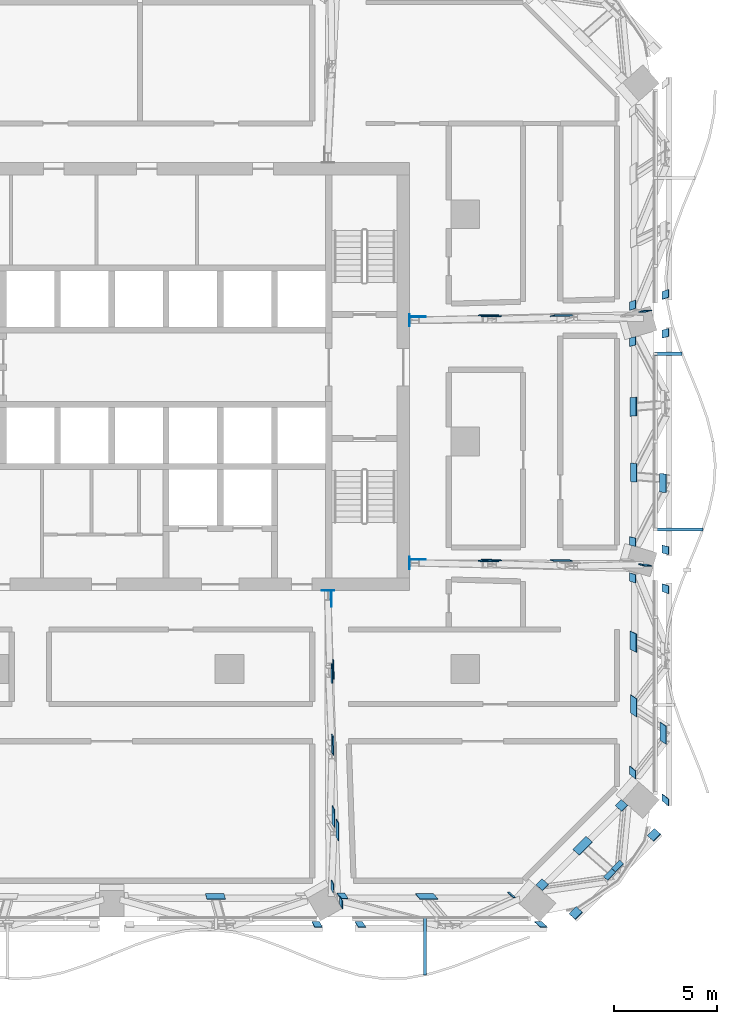
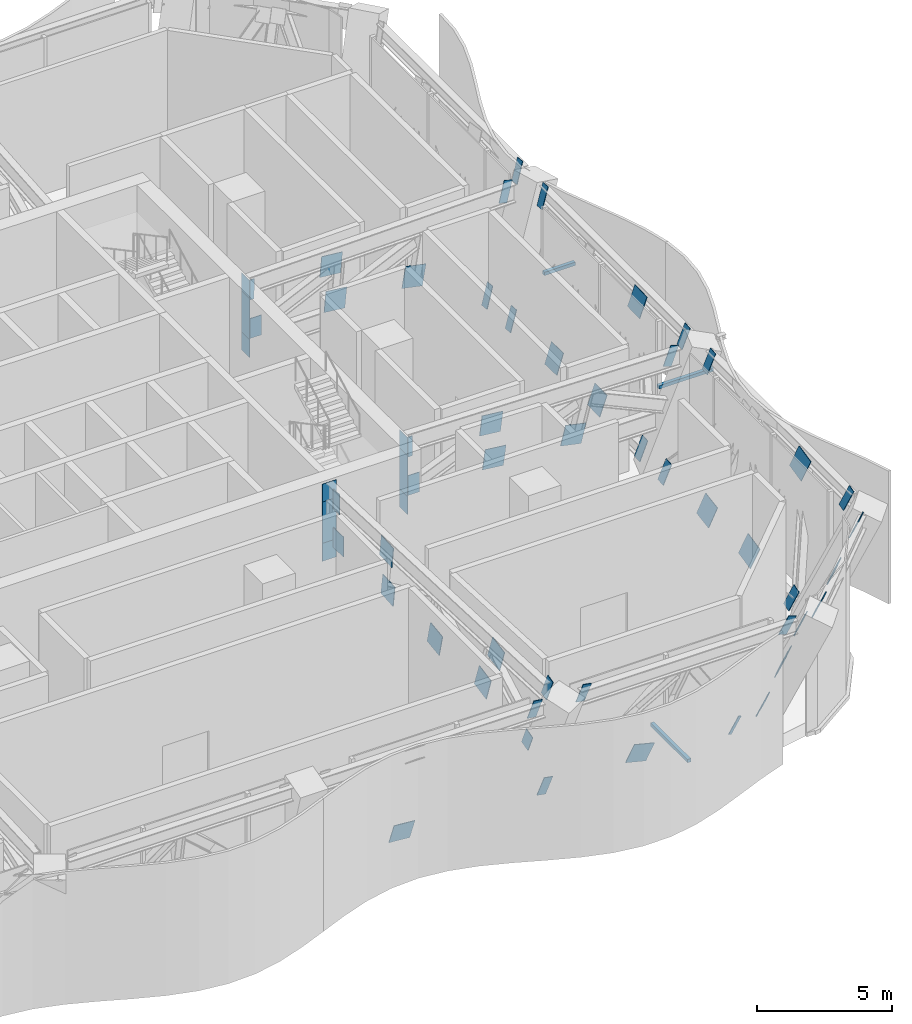
# One storey, part 14 of 26: 63 discrete accessories.
"""IFC4 building model written with IfcOpenShell, lengths in metres."""

from ifc_helpers import new_model, si_unit, direction, frame, origin, origin_2d, place, context, subcontext, project, spatial, rectangle, extrude, material, layer, layer_set, type_object, element, save


model = new_model("IFC4")

# Units and contexts
model_context = context("Model", 3, precision=1e-05, world=origin(), true_north=direction((0.0, 1.0)))
body_context = subcontext(model_context, "Body", "Model", "MODEL_VIEW")
ifc_project = project(units=[si_unit("LENGTHUNIT", "METRE"), si_unit("AREAUNIT", "SQUARE_METRE"), si_unit("VOLUMEUNIT", "CUBIC_METRE"), si_unit("PLANEANGLEUNIT", "RADIAN"), si_unit("MASSUNIT", "GRAM", prefix="KILO")], contexts=[model_context])

# Site, building, storey
site_placement = place(None, origin())
site = spatial("IfcSite", under=ifc_project, at=site_placement, CompositionType="ELEMENT")
building_placement = place(site_placement, origin())
building = spatial("IfcBuilding", under=site, at=building_placement, Name="Mopane Tessera Tower", CompositionType="ELEMENT")
storey_placement = place(building_placement, frame((0.0, 0.0, 205.0)))
storey = spatial("IfcBuildingStorey", under=building, at=storey_placement, Name="L43", CompositionType="ELEMENT", Elevation=205.0)

# Discrete accessories
ifc_material_1 = material(Name="Structural steel S460", Category="steel")
ifc_layer_1 = layer(ifc_material_1, 0.014892578125)
ifc_layer_set_1 = layer_set([ifc_layer_1], Name="Structural steel S460")
discrete_accessory_type_1 = type_object("IfcDiscreteAccessoryType", Name="Cast-in anchor plate 15 mm", PredefinedType="ANCHORPLATE", material=ifc_layer_set_1)
discrete_accessory_1_placement = place(storey_placement, frame((14.407470703125, -5.870849609375, 2.10009765625), z_axis=(0.0, 0.0, 1.0), x_axis=(1.0, 0.0, 0.0)))
element("IfcDiscreteAccessory", 1, at=discrete_accessory_1_placement, inside=storey, type_object=discrete_accessory_type_1, Name="Cast-in anchor plate s ot L43 E1 b", PredefinedType="ANCHORPLATE", context=body_context, shape_type="SweptSolid", body=[
    extrude(rectangle(XDim=0.014892578125, YDim=0.60302734375, at=origin_2d()), origin(), (0.0, 0.0, 1.0), 0.81396484375),
])
discrete_accessory_2_placement = place(storey_placement, frame((14.407470703125, -5.871337890625, 4.785888671875), z_axis=(0.0, 0.0, 1.0), x_axis=(1.0, 0.0, 0.0)))
element("IfcDiscreteAccessory", 2, at=discrete_accessory_2_placement, inside=storey, type_object=discrete_accessory_type_1, Name="Cast-in anchor plate s ot L43 E1 t", PredefinedType="ANCHORPLATE", context=body_context, shape_type="SweptSolid", body=[
    extrude(rectangle(XDim=0.014892578125, YDim=0.60302734375, at=origin_2d()), origin(), (0.0, 0.0, 1.0), 0.814208984375),
])
discrete_accessory_3_placement = place(storey_placement, frame((14.407470703125, -5.87109375, 2.9140625), z_axis=(0.0, 0.0, 1.0), x_axis=(1.0, 0.0, 0.0)))
element("IfcDiscreteAccessory", 3, at=discrete_accessory_3_placement, inside=storey, type_object=discrete_accessory_type_1, Name="Cast-in anchor plate s ot L43 E1 p", PredefinedType="ANCHORPLATE", context=body_context, shape_type="SweptSolid", body=[
    extrude(rectangle(XDim=0.014892578125, YDim=0.60302734375, at=origin_2d()), origin(), (0.0, 0.0, 1.0), 1.871826171875),
])
discrete_accessory_4_placement = place(storey_placement, frame((14.407470703125, 5.870849609375, 2.10009765625), z_axis=(0.0, 0.0, 1.0), x_axis=(1.0, 0.0, 0.0)))
element("IfcDiscreteAccessory", 4, at=discrete_accessory_4_placement, inside=storey, type_object=discrete_accessory_type_1, Name="Cast-in anchor plate s ot L43 E2 b", PredefinedType="ANCHORPLATE", context=body_context, shape_type="SweptSolid", body=[
    extrude(rectangle(XDim=0.014892578125, YDim=0.60302734375, at=origin_2d()), origin(), (0.0, 0.0, 1.0), 0.81396484375),
])
discrete_accessory_5_placement = place(storey_placement, frame((14.407470703125, 5.871337890625, 4.785888671875), z_axis=(0.0, 0.0, 1.0), x_axis=(1.0, 0.0, 0.0)))
element("IfcDiscreteAccessory", 5, at=discrete_accessory_5_placement, inside=storey, type_object=discrete_accessory_type_1, Name="Cast-in anchor plate s ot L43 E2 t", PredefinedType="ANCHORPLATE", context=body_context, shape_type="SweptSolid", body=[
    extrude(rectangle(XDim=0.014892578125, YDim=0.60302734375, at=origin_2d()), origin(), (0.0, 0.0, 1.0), 0.814208984375),
])
discrete_accessory_6_placement = place(storey_placement, frame((14.407470703125, 5.87109375, 2.9140625), z_axis=(0.0, 0.0, 1.0), x_axis=(1.0, 0.0, 0.0)))
element("IfcDiscreteAccessory", 6, at=discrete_accessory_6_placement, inside=storey, type_object=discrete_accessory_type_1, Name="Cast-in anchor plate s ot L43 E2 p", PredefinedType="ANCHORPLATE", context=body_context, shape_type="SweptSolid", body=[
    extrude(rectangle(XDim=0.014892578125, YDim=0.60302734375, at=origin_2d()), origin(), (0.0, 0.0, 1.0), 1.871826171875),
])
discrete_accessory_7_placement = place(storey_placement, frame((10.4501953125, -7.20751953125, 2.10009765625), z_axis=(0.0, 0.0, 1.0), x_axis=(0.0, -1.0, 0.0)))
element("IfcDiscreteAccessory", 7, at=discrete_accessory_7_placement, inside=storey, type_object=discrete_accessory_type_1, Name="Cast-in anchor plate s ot L43 S3 b", PredefinedType="ANCHORPLATE", context=body_context, shape_type="SweptSolid", body=[
    extrude(rectangle(XDim=0.014892578125, YDim=0.60302734375, at=origin_2d()), origin(), (0.0, 0.0, 1.0), 0.81396484375),
])
discrete_accessory_8_placement = place(storey_placement, frame((10.45068359375, -7.20751953125, 4.785888671875), z_axis=(0.0, 0.0, 1.0), x_axis=(0.0, -1.0, 0.0)))
element("IfcDiscreteAccessory", 8, at=discrete_accessory_8_placement, inside=storey, type_object=discrete_accessory_type_1, Name="Cast-in anchor plate s ot L43 S3 t", PredefinedType="ANCHORPLATE", context=body_context, shape_type="SweptSolid", body=[
    extrude(rectangle(XDim=0.014892578125, YDim=0.60302734375, at=origin_2d()), origin(), (0.0, 0.0, 1.0), 0.814208984375),
])
discrete_accessory_9_placement = place(storey_placement, frame((10.450439453125, -7.20751953125, 2.9140625), z_axis=(0.0, 0.0, 1.0), x_axis=(0.0, -1.0, 0.0)))
element("IfcDiscreteAccessory", 9, at=discrete_accessory_9_placement, inside=storey, type_object=discrete_accessory_type_1, Name="Cast-in anchor plate s ot L43 S3 p", PredefinedType="ANCHORPLATE", context=body_context, shape_type="SweptSolid", body=[
    extrude(rectangle(XDim=0.014892578125, YDim=0.60302734375, at=origin_2d()), origin(), (0.0, 0.0, 1.0), 1.871826171875),
])
ifc_material_2 = material(Name="Stainless steel S316", Category="steel")
discrete_accessory_type_2 = type_object("IfcDiscreteAccessoryType", Name="Louvre bracket 150 x 150", PredefinedType="BRACKET", material=ifc_material_2)
discrete_accessory_10_placement = place(storey_placement, frame((15.14990234375, -24.438720703125, 2.51513671875), z_axis=(0.0, 0.0, 1.0), x_axis=(0.0, -1.0, 0.0)))
element("IfcDiscreteAccessory", 10, at=discrete_accessory_10_placement, inside=storey, type_object=discrete_accessory_type_2, Name="e:lv:L43:S:1:br1", PredefinedType="BRACKET", context=body_context, shape_type="SweptSolid", body=[
    extrude(rectangle(XDim=2.757568359375, YDim=0.14990234375, at=origin_2d()), origin(), (0.0, 0.0, 1.0), 0.14990234375),
])
discrete_accessory_11_placement = place(storey_placement, frame((27.429931640625, -4.25, 2.51513671875), z_axis=(0.0, 0.0, 1.0), x_axis=(1.0, 0.0, 0.0)))
element("IfcDiscreteAccessory", 11, at=discrete_accessory_11_placement, inside=storey, type_object=discrete_accessory_type_2, Name="e:lv:L43:E:0:br1", PredefinedType="BRACKET", context=body_context, shape_type="SweptSolid", body=[
    extrude(rectangle(XDim=2.340087890625, YDim=0.14990234375, at=origin_2d()), origin(), (0.0, 0.0, 1.0), 0.14990234375),
])
discrete_accessory_12_placement = place(storey_placement, frame((26.9248046875, 4.25, 2.51513671875), z_axis=(0.0, 0.0, 1.0), x_axis=(1.0, 0.0, 0.0)))
element("IfcDiscreteAccessory", 12, at=discrete_accessory_12_placement, inside=storey, type_object=discrete_accessory_type_2, Name="e:lv:L43:E:1:br0", PredefinedType="BRACKET", context=body_context, shape_type="SweptSolid", body=[
    extrude(rectangle(XDim=1.32958984375, YDim=0.14990234375, at=origin_2d()), origin(), (0.0, 0.0, 1.0), 0.14990234375),
])
ifc_material_3 = material(Name="Structural steel S460", Category="steel")
ifc_layer_2 = layer(ifc_material_3, 0.030029296875)
ifc_layer_set_2 = layer_set([ifc_layer_2], Name="Structural steel S460")
discrete_accessory_type_3 = type_object("IfcDiscreteAccessoryType", Name="Truss node plate 30 mm", PredefinedType="BRACKET", material=ifc_layer_set_2)
discrete_accessory_13_placement = place(storey_placement, frame((14.800048828125, -5.7060546875, 2.5908203125), z_axis=(0.01166490682, -0.003255322834, 0.999926663722), x_axis=(-0.008172068374, 0.999960994065, 0.003350768006)))
element("IfcDiscreteAccessory", 13, at=discrete_accessory_13_placement, inside=storey, type_object=discrete_accessory_type_3, Name="Truss node plate s ot L43 E1 0", PredefinedType="BRACKET", context=body_context, shape_type="SweptSolid", body=[
    extrude(rectangle(XDim=0.030029296875, YDim=0.75732421875, at=origin_2d()), origin(), (0.0, 0.0, 1.0), 0.89990234375),
])
discrete_accessory_14_placement = place(storey_placement, frame((14.653076171875, -5.708984375, 4.3359375), z_axis=(0.007051615597, -0.001898511891, 0.99997333483), x_axis=(-0.017346857651, 0.999847490224, 0.002020599601)))
element("IfcDiscreteAccessory", 14, at=discrete_accessory_14_placement, inside=storey, type_object=discrete_accessory_type_3, Name="Truss node plate s ot L43 E1 1", PredefinedType="BRACKET", context=body_context, shape_type="SweptSolid", body=[
    extrude(rectangle(XDim=0.030029296875, YDim=0.43994140625, at=origin_2d()), origin(), (0.0, 0.0, 1.0), 0.900146484375),
])
discrete_accessory_15_placement = place(storey_placement, frame((18.172119140625, -5.767822265625, 4.209228515625), z_axis=(0.102503292286, -0.029941751168, 0.994281935171), x_axis=(0.006871200588, 0.99954434901, 0.029391852012)))
element("IfcDiscreteAccessory", 15, at=discrete_accessory_15_placement, inside=storey, type_object=discrete_accessory_type_3, Name="Truss node plate s ot L43 E1 2", PredefinedType="BRACKET", context=body_context, shape_type="SweptSolid", body=[
    extrude(rectangle(XDim=0.030029296875, YDim=0.89990234375, at=origin_2d()), origin(), (0.0, 0.0, 1.0), 0.905029296875),
])
discrete_accessory_16_placement = place(storey_placement, frame((18.323486328125, -5.720458984375, 2.5908203125), z_axis=(0.111290579422, -0.032336245837, 0.993261684622), x_axis=(0.005989638828, 0.999474158771, 0.031867384215)))
element("IfcDiscreteAccessory", 16, at=discrete_accessory_16_placement, inside=storey, type_object=discrete_accessory_type_3, Name="Truss node plate s ot L43 E1 3", PredefinedType="BRACKET", context=body_context, shape_type="SweptSolid", body=[
    extrude(rectangle(XDim=0.030029296875, YDim=0.89990234375, at=origin_2d()), origin(), (0.0, 0.0, 1.0), 0.906005859375),
])
discrete_accessory_17_placement = place(storey_placement, frame((21.661376953125, -5.7265625, 2.464111328125), z_axis=(0.203361293335, -0.059391042643, 0.977300817777), x_axis=(0.015744633972, 0.998227873633, 0.057386573369)))
element("IfcDiscreteAccessory", 17, at=discrete_accessory_17_placement, inside=storey, type_object=discrete_accessory_type_3, Name="Truss node plate s ot L43 E1 5", PredefinedType="BRACKET", context=body_context, shape_type="SweptSolid", body=[
    extrude(rectangle(XDim=0.030029296875, YDim=0.89990234375, at=origin_2d()), origin(), (0.0, 0.0, 1.0), 0.9208984375),
])
discrete_accessory_18_placement = place(storey_placement, frame((25.6796875, -5.9384765625, 4.742919921875), z_axis=(0.28938402048, -0.084306694081, 0.953493193486), x_axis=(0.027373092398, 0.996435311919, 0.079795883182)))
element("IfcDiscreteAccessory", 18, at=discrete_accessory_18_placement, inside=storey, type_object=discrete_accessory_type_3, Name="Truss node plate s ot L43 E1 8", PredefinedType="BRACKET", context=body_context, shape_type="SweptSolid", body=[
    extrude(rectangle(XDim=0.030029296875, YDim=0.35888671875, at=origin_2d()), origin(), (0.0, 0.0, 1.0), 0.944091796875),
])
discrete_accessory_19_placement = place(storey_placement, frame((14.799072265625, 6.0390625, 2.5908203125), z_axis=(0.011393665553, 0.003255333015, 0.999929791131), x_axis=(0.002019256037, 0.999992586844, -0.003278545794)))
element("IfcDiscreteAccessory", 19, at=discrete_accessory_19_placement, inside=storey, type_object=discrete_accessory_type_3, Name="Truss node plate s ot L43 E2 0", PredefinedType="BRACKET", context=body_context, shape_type="SweptSolid", body=[
    extrude(rectangle(XDim=0.030029296875, YDim=0.75732421875, at=origin_2d()), origin(), (0.0, 0.0, 1.0), 0.89990234375),
])
discrete_accessory_20_placement = place(storey_placement, frame((14.652099609375, 6.041748046875, 4.3359375), z_axis=(0.00678040859, 0.002169730749, 0.999974658843), x_axis=(-0.029355822736, 0.999567084078, -0.001969796882)))
element("IfcDiscreteAccessory", 20, at=discrete_accessory_20_placement, inside=storey, type_object=discrete_accessory_type_3, Name="Truss node plate s ot L43 E2 1", PredefinedType="BRACKET", context=body_context, shape_type="SweptSolid", body=[
    extrude(rectangle(XDim=0.030029296875, YDim=0.43994140625, at=origin_2d()), origin(), (0.0, 0.0, 1.0), 0.900146484375),
])
discrete_accessory_21_placement = place(storey_placement, frame((18.171142578125, 6.100830078125, 4.209228515625), z_axis=(0.102237191978, 0.029673063635, 0.99431738689), x_axis=(-0.005140786148, 0.999557418116, -0.029300856767)))
element("IfcDiscreteAccessory", 21, at=discrete_accessory_21_placement, inside=storey, type_object=discrete_accessory_type_3, Name="Truss node plate s ot L43 E2 2", PredefinedType="BRACKET", context=body_context, shape_type="SweptSolid", body=[
    extrude(rectangle(XDim=0.030029296875, YDim=0.89990234375, at=origin_2d()), origin(), (0.0, 0.0, 1.0), 0.905029296875),
])
discrete_accessory_22_placement = place(storey_placement, frame((18.322265625, 6.053466796875, 2.5908203125), z_axis=(0.111290579422, 0.032336245837, 0.993261684622), x_axis=(-0.005989638828, 0.999474158771, -0.031867384215)))
element("IfcDiscreteAccessory", 22, at=discrete_accessory_22_placement, inside=storey, type_object=discrete_accessory_type_3, Name="Truss node plate s ot L43 E2 3", PredefinedType="BRACKET", context=body_context, shape_type="SweptSolid", body=[
    extrude(rectangle(XDim=0.030029296875, YDim=0.89990234375, at=origin_2d()), origin(), (0.0, 0.0, 1.0), 0.906005859375),
])
discrete_accessory_23_placement = place(storey_placement, frame((21.66015625, 6.0595703125, 2.464111328125), z_axis=(0.203615446332, 0.059387838514, 0.977248092683), x_axis=(-0.015408544142, 0.998229330653, -0.057452416757)))
element("IfcDiscreteAccessory", 23, at=discrete_accessory_23_placement, inside=storey, type_object=discrete_accessory_type_3, Name="Truss node plate s ot L43 E2 5", PredefinedType="BRACKET", context=body_context, shape_type="SweptSolid", body=[
    extrude(rectangle(XDim=0.030029296875, YDim=0.89990234375, at=origin_2d()), origin(), (0.0, 0.0, 1.0), 0.9208984375),
])
discrete_accessory_24_placement = place(storey_placement, frame((25.678466796875, 6.271484375, 4.742919921875), z_axis=(0.289620946604, 0.084300382672, 0.953421812615), x_axis=(-0.027152306449, 0.996436565638, -0.079855637965)))
element("IfcDiscreteAccessory", 24, at=discrete_accessory_24_placement, inside=storey, type_object=discrete_accessory_type_3, Name="Truss node plate s ot L43 E2 8", PredefinedType="BRACKET", context=body_context, shape_type="SweptSolid", body=[
    extrude(rectangle(XDim=0.030029296875, YDim=0.35888671875, at=origin_2d()), origin(), (0.0, 0.0, 1.0), 0.944091796875),
])
discrete_accessory_25_placement = place(storey_placement, frame((10.61865234375, -7.59716796875, 2.591552734375), z_axis=(0.004339414256, -0.007322761557, 0.999963772667), x_axis=(0.999787049948, 0.020206261131, -0.004190676363)))
element("IfcDiscreteAccessory", 25, at=discrete_accessory_25_placement, inside=storey, type_object=discrete_accessory_type_3, Name="Truss node plate s ot L43 S3 0", PredefinedType="BRACKET", context=body_context, shape_type="SweptSolid", body=[
    extrude(rectangle(XDim=0.030029296875, YDim=0.754150390625, at=origin_2d()), origin(), (0.0, 0.0, 1.0), 0.900146484375),
])
discrete_accessory_26_placement = place(storey_placement, frame((10.622314453125, -7.44775390625, 4.3359375), z_axis=(0.002712196654, -0.004339514646, 0.999986906215), x_axis=(0.999036355437, 0.04381795065, -0.002519467411)))
element("IfcDiscreteAccessory", 26, at=discrete_accessory_26_placement, inside=storey, type_object=discrete_accessory_type_3, Name="Truss node plate s ot L43 S3 1", PredefinedType="BRACKET", context=body_context, shape_type="SweptSolid", body=[
    extrude(rectangle(XDim=0.030029296875, YDim=0.43994140625, at=origin_2d()), origin(), (0.0, 0.0, 1.0), 0.900146484375),
])
discrete_accessory_27_placement = place(storey_placement, frame((10.69970703125, -10.98486328125, 4.208251953125), z_axis=(0.039204212235, -0.068674964881, 0.996868486282), x_axis=(0.999223472332, 0.006622842545, -0.038840575395)))
element("IfcDiscreteAccessory", 27, at=discrete_accessory_27_placement, inside=storey, type_object=discrete_accessory_type_3, Name="Truss node plate s ot L43 S3 2", PredefinedType="BRACKET", context=body_context, shape_type="SweptSolid", body=[
    extrude(rectangle(XDim=0.030029296875, YDim=0.89990234375, at=origin_2d()), origin(), (0.0, 0.0, 1.0), 0.903076171875),
])
discrete_accessory_28_placement = place(storey_placement, frame((10.6376953125, -11.18798828125, 2.591552734375), z_axis=(0.042425004833, -0.074581537159, 0.996312056175), x_axis=(0.999096751727, 0.005570656154, -0.042126576871)))
element("IfcDiscreteAccessory", 28, at=discrete_accessory_28_placement, inside=storey, type_object=discrete_accessory_type_3, Name="Truss node plate s ot L43 S3 3", PredefinedType="BRACKET", context=body_context, shape_type="SweptSolid", body=[
    extrude(rectangle(XDim=0.030029296875, YDim=0.89990234375, at=origin_2d()), origin(), (0.0, 0.0, 1.0), 0.903564453125),
])
discrete_accessory_29_placement = place(storey_placement, frame((10.6455078125, -14.60400390625, 2.464111328125), z_axis=(0.078488235568, -0.137421381728, 0.987398076118), x_axis=(0.996906532414, 0.014911108898, -0.077168804974)))
element("IfcDiscreteAccessory", 29, at=discrete_accessory_29_placement, inside=storey, type_object=discrete_accessory_type_3, Name="Truss node plate s ot L43 S3 5", PredefinedType="BRACKET", context=body_context, shape_type="SweptSolid", body=[
    extrude(rectangle(XDim=0.030029296875, YDim=0.89990234375, at=origin_2d()), origin(), (0.0, 0.0, 1.0), 0.911376953125),
])
discrete_accessory_30_placement = place(storey_placement, frame((10.673828125, -18.0556640625, 2.591552734375), z_axis=(0.113285674256, -0.198051878071, 0.973623032596), x_axis=(0.993551291372, 0.027227287502, -0.110065917649)))
element("IfcDiscreteAccessory", 30, at=discrete_accessory_30_placement, inside=storey, type_object=discrete_accessory_type_3, Name="Truss node plate s ot L43 S3 7", PredefinedType="BRACKET", context=body_context, shape_type="SweptSolid", body=[
    extrude(rectangle(XDim=0.030029296875, YDim=0.89990234375, at=origin_2d()), origin(), (0.0, 0.0, 1.0), 0.924560546875),
])
discrete_accessory_31_placement = place(storey_placement, frame((10.868408203125, -18.703369140625, 4.205810546875), z_axis=(0.116566531895, -0.203595843038, 0.972091032949), x_axis=(0.993169928604, 0.02889451424, -0.113042469737)))
element("IfcDiscreteAccessory", 31, at=discrete_accessory_31_placement, inside=storey, type_object=discrete_accessory_type_3, Name="Truss node plate s ot L43 S3 8", PredefinedType="BRACKET", context=body_context, shape_type="SweptSolid", body=[
    extrude(rectangle(XDim=0.030029296875, YDim=0.89990234375, at=origin_2d()), origin(), (0.0, 0.0, 1.0), 0.92578125),
])
discrete_accessory_32_placement = place(storey_placement, frame((10.628662109375, -21.442138671875, 2.17822265625), z_axis=(0.146837410488, -0.257142808222, 0.955152527642), x_axis=(0.989152854314, 0.042003237561, -0.140756381157)))
element("IfcDiscreteAccessory", 32, at=discrete_accessory_32_placement, inside=storey, type_object=discrete_accessory_type_3, Name="Truss node plate s ot L43 S3 9", PredefinedType="BRACKET", context=body_context, shape_type="SweptSolid", body=[
    extrude(rectangle(XDim=0.030029296875, YDim=0.489990234375, at=origin_2d()), origin(), (0.0, 0.0, 1.0), 0.688232421875),
])
discrete_accessory_33_placement = place(storey_placement, frame((11.024169921875, -22.17529296875, 4.742919921875), z_axis=(0.147369002194, -0.257701506473, 0.95492005464), x_axis=(0.989071218611, 0.042815790962, -0.141084841709)))
element("IfcDiscreteAccessory", 33, at=discrete_accessory_33_placement, inside=storey, type_object=discrete_accessory_type_3, Name="Truss node plate s ot L43 S3 10", PredefinedType="BRACKET", context=body_context, shape_type="SweptSolid", body=[
    extrude(rectangle(XDim=0.030029296875, YDim=0.40771484375, at=origin_2d()), origin(), (0.0, 0.0, 1.0), 0.942626953125),
])
discrete_accessory_34_placement = place(storey_placement, frame((4.975341796875, -21.882080078125, 0.169921875), z_axis=(0.078393186166, -0.279048593142, 0.957071779455), x_axis=(0.022567448017, 0.960276960341, 0.278134625187)))
element("IfcDiscreteAccessory", 34, at=discrete_accessory_34_placement, inside=storey, type_object=discrete_accessory_type_3, Name="Truss node plate s bt L43 S2-S3 3", PredefinedType="BRACKET", context=body_context, shape_type="SweptSolid", body=[
    extrude(rectangle(XDim=0.030029296875, YDim=0.89990234375, at=origin_2d()), origin(), (0.0, 0.0, 1.0), 0.9404296875),
])
discrete_accessory_35_placement = place(storey_placement, frame((9.865966796875, -23.244140625, 4.840087890625), z_axis=(0.14306097607, -0.277100088784, 0.950131095124), x_axis=(0.04176472503, 0.960840932825, 0.273935046228)))
element("IfcDiscreteAccessory", 35, at=discrete_accessory_35_placement, inside=storey, type_object=discrete_accessory_type_3, Name="Truss node plate s bt L43 S2-S3 6", PredefinedType="BRACKET", context=body_context, shape_type="SweptSolid", body=[
    extrude(rectangle(XDim=0.030029296875, YDim=0.37255859375, at=origin_2d()), origin(), (0.0, 0.0, 1.0), 0.947021484375),
])
discrete_accessory_36_placement = place(storey_placement, frame((11.081298828125, -21.8544921875, 0.07568359375), z_axis=(0.172636185559, -0.276012683004, 0.945523001442), x_axis=(0.050053783134, 0.961153879733, 0.271436619247)))
element("IfcDiscreteAccessory", 36, at=discrete_accessory_36_placement, inside=storey, type_object=discrete_accessory_type_3, Name="Truss node plate s bt L43 S3-S4 0", PredefinedType="BRACKET", context=body_context, shape_type="SweptSolid", body=[
    extrude(rectangle(XDim=0.030029296875, YDim=0.37939453125, at=origin_2d()), origin(), (0.0, 0.0, 1.0), 0.95166015625),
])
discrete_accessory_37_placement = place(storey_placement, frame((11.94775390625, -23.244140625, 4.840087890625), z_axis=(0.172648404171, -0.27577568274, 0.945589922401), x_axis=(0.049475849014, 0.961222018936, 0.271301254468)))
element("IfcDiscreteAccessory", 37, at=discrete_accessory_37_placement, inside=storey, type_object=discrete_accessory_type_3, Name="Truss node plate s bt L43 S3-S4 1", PredefinedType="BRACKET", context=body_context, shape_type="SweptSolid", body=[
    extrude(rectangle(XDim=0.030029296875, YDim=0.37255859375, at=origin_2d()), origin(), (0.0, 0.0, 1.0), 0.95166015625),
])
discrete_accessory_38_placement = place(storey_placement, frame((15.121337890625, -21.882080078125, 0.169921875), z_axis=(0.232241351768, -0.272256764613, 0.933777387096), x_axis=(0.065795997042, 0.962224634434, 0.264186751486)))
element("IfcDiscreteAccessory", 38, at=discrete_accessory_38_placement, inside=storey, type_object=discrete_accessory_type_3, Name="Truss node plate s bt L43 S3-S4 3", PredefinedType="BRACKET", context=body_context, shape_type="SweptSolid", body=[
    extrude(rectangle(XDim=0.030029296875, YDim=0.89990234375, at=origin_2d()), origin(), (0.0, 0.0, 1.0), 0.9638671875),
])
discrete_accessory_39_placement = place(storey_placement, frame((19.19775390625, -21.8134765625, -0.0654296875), z_axis=(0.291261551796, -0.267841033517, 0.918383301901), x_axis=(0.080924919225, 0.963463117442, 0.255323282875)))
element("IfcDiscreteAccessory", 39, at=discrete_accessory_39_placement, inside=storey, type_object=discrete_accessory_type_3, Name="Truss node plate s bt L43 S3-S4 5", PredefinedType="BRACKET", context=body_context, shape_type="SweptSolid", body=[
    extrude(rectangle(XDim=0.030029296875, YDim=0.122314453125, at=origin_2d()), origin(), (0.0, 0.0, 1.0), 0.97998046875),
])
discrete_accessory_40_placement = place(storey_placement, frame((20.630615234375, -23.244140625, 4.840087890625), z_axis=(0.289892551992, -0.267957431979, 0.918782413277), x_axis=(0.080179549136, 0.963430646182, 0.255680718666)))
element("IfcDiscreteAccessory", 40, at=discrete_accessory_40_placement, inside=storey, type_object=discrete_accessory_type_3, Name="Truss node plate s bt L43 S3-S4 6", PredefinedType="BRACKET", context=body_context, shape_type="SweptSolid", body=[
    extrude(rectangle(XDim=0.030029296875, YDim=0.350830078125, at=origin_2d()), origin(), (0.0, 0.0, 1.0), 0.9794921875),
])
discrete_accessory_41_placement = place(storey_placement, frame((20.681884765625, -21.314208984375, 0.052490234375), z_axis=(0.304783284444, -0.266592376548, 0.914349853333), x_axis=(-0.638523091809, 0.655126704489, 0.403853020656)))
element("IfcDiscreteAccessory", 41, at=discrete_accessory_41_placement, inside=storey, type_object=discrete_accessory_type_3, Name="Truss node plate s bt L43 S4-E0 0", PredefinedType="BRACKET", context=body_context, shape_type="SweptSolid", body=[
    extrude(rectangle(XDim=0.030029296875, YDim=0.416259765625, at=origin_2d()), origin(), (0.0, 0.0, 1.0), 0.984375),
])
discrete_accessory_42_placement = place(storey_placement, frame((22.3037109375, -22.684326171875, 4.840087890625), z_axis=(0.304832237653, -0.266883228409, 0.914248680219), x_axis=(-0.638145226429, 0.655354393467, 0.404080795076)))
element("IfcDiscreteAccessory", 42, at=discrete_accessory_42_placement, inside=storey, type_object=discrete_accessory_type_3, Name="Truss node plate s bt L43 S4-E0 1", PredefinedType="BRACKET", context=body_context, shape_type="SweptSolid", body=[
    extrude(rectangle(XDim=0.030029296875, YDim=0.489990234375, at=origin_2d()), origin(), (0.0, 0.0, 1.0), 0.984375),
])
discrete_accessory_43_placement = place(storey_placement, frame((24.00341796875, -20.875244140625, 4.6650390625), z_axis=(0.304643134255, -0.266814264215, 0.914331837553), x_axis=(-0.638089991619, 0.655523553655, 0.40389359143)))
element("IfcDiscreteAccessory", 43, at=discrete_accessory_43_placement, inside=storey, type_object=discrete_accessory_type_3, Name="Truss node plate s bt L43 S4-E0 2", PredefinedType="BRACKET", context=body_context, shape_type="SweptSolid", body=[
    extrude(rectangle(XDim=0.030029296875, YDim=0.5546875, at=origin_2d()), origin(), (0.0, 0.0, 1.0), 0.606689453125),
])
discrete_accessory_44_placement = place(storey_placement, frame((22.63818359375, -19.43115234375, 0.169921875), z_axis=(0.304783284444, -0.266592376548, 0.914349853333), x_axis=(-0.638523091809, 0.655126704489, 0.403853020656)))
element("IfcDiscreteAccessory", 44, at=discrete_accessory_44_placement, inside=storey, type_object=discrete_accessory_type_3, Name="Truss node plate s bt L43 S4-E0 3", PredefinedType="BRACKET", context=body_context, shape_type="SweptSolid", body=[
    extrude(rectangle(XDim=0.030029296875, YDim=0.89990234375, at=origin_2d()), origin(), (0.0, 0.0, 1.0), 0.984375),
])
discrete_accessory_45_placement = place(storey_placement, frame((24.39013671875, -20.465087890625, 4.627685546875), z_axis=(0.304755267631, -0.2669124735, 0.914265802894), x_axis=(-0.638040447328, 0.655480161495, 0.404042257023)))
element("IfcDiscreteAccessory", 45, at=discrete_accessory_45_placement, inside=storey, type_object=discrete_accessory_type_3, Name="Truss node plate s bt L43 S4-E0 4", PredefinedType="BRACKET", context=body_context, shape_type="SweptSolid", body=[
    extrude(rectangle(XDim=0.030029296875, YDim=0.5546875, at=origin_2d()), origin(), (0.0, 0.0, 1.0), 0.6064453125),
])
discrete_accessory_46_placement = place(storey_placement, frame((24.516357421875, -17.479736328125, 0.052490234375), z_axis=(0.304558302803, -0.266612520776, 0.914418943351), x_axis=(-0.638310608004, 0.65542962011, 0.403697387645)))
element("IfcDiscreteAccessory", 46, at=discrete_accessory_46_placement, inside=storey, type_object=discrete_accessory_type_3, Name="Truss node plate s bt L43 S4-E0 5", PredefinedType="BRACKET", context=body_context, shape_type="SweptSolid", body=[
    extrude(rectangle(XDim=0.030029296875, YDim=0.416259765625, at=origin_2d()), origin(), (0.0, 0.0, 1.0), 0.984375),
])
discrete_accessory_47_placement = place(storey_placement, frame((26.0859375, -18.902099609375, 4.840087890625), z_axis=(0.304852408885, -0.266652839342, 0.914309177504), x_axis=(-0.638492556559, 0.655099995462, 0.403944613981)))
element("IfcDiscreteAccessory", 47, at=discrete_accessory_47_placement, inside=storey, type_object=discrete_accessory_type_3, Name="Truss node plate s bt L43 S4-E0 6", PredefinedType="BRACKET", context=body_context, shape_type="SweptSolid", body=[
    extrude(rectangle(XDim=0.030029296875, YDim=0.489990234375, at=origin_2d()), origin(), (0.0, 0.0, 1.0), 0.984130859375),
])
discrete_accessory_48_placement = place(storey_placement, frame((25.05224609375, -15.884033203125, 0.0595703125), z_axis=(0.306265350978, -0.249946417438, 0.918546854113), x_axis=(-0.951946117065, -0.080772490042, 0.295422401075)))
element("IfcDiscreteAccessory", 48, at=discrete_accessory_48_placement, inside=storey, type_object=discrete_accessory_type_3, Name="Truss node plate s bt L43 E0-E1 0", PredefinedType="BRACKET", context=body_context, shape_type="SweptSolid", body=[
    extrude(rectangle(XDim=0.030029296875, YDim=0.406494140625, at=origin_2d()), origin(), (0.0, 0.0, 1.0), 0.979736328125),
])
discrete_accessory_49_placement = place(storey_placement, frame((26.645751953125, -17.218994140625, 4.840087890625), z_axis=(0.306227167778, -0.250413591226, 0.918432335583), x_axis=(-0.951958408727, -0.080889122832, 0.295350872458)))
element("IfcDiscreteAccessory", 49, at=discrete_accessory_49_placement, inside=storey, type_object=discrete_accessory_type_3, Name="Truss node plate s bt L43 E0-E1 1", PredefinedType="BRACKET", context=body_context, shape_type="SweptSolid", body=[
    extrude(rectangle(XDim=0.030029296875, YDim=0.34423828125, at=origin_2d()), origin(), (0.0, 0.0, 1.0), 0.979736328125),
])
discrete_accessory_50_placement = place(storey_placement, frame((26.527587890625, -14.0107421875, 4.4853515625), z_axis=(0.309367333837, -0.207167872862, 0.928102001511), x_axis=(-0.950942611962, -0.067357426575, 0.301945567678)))
element("IfcDiscreteAccessory", 50, at=discrete_accessory_50_placement, inside=storey, type_object=discrete_accessory_type_3, Name="Truss node plate s bt L43 E0-E1 2", PredefinedType="BRACKET", context=body_context, shape_type="SweptSolid", body=[
    extrude(rectangle(XDim=0.030029296875, YDim=0.89990234375, at=origin_2d()), origin(), (0.0, 0.0, 1.0), 0.969970703125),
])
discrete_accessory_51_placement = place(storey_placement, frame((25.1025390625, -12.687744140625, 0.21044921875), z_axis=(0.3097338619, -0.201616834434, 0.929201585699), x_axis=(-0.950823275766, -0.065490490139, 0.302731058803)))
element("IfcDiscreteAccessory", 51, at=discrete_accessory_51_placement, inside=storey, type_object=discrete_accessory_type_3, Name="Truss node plate s bt L43 E0-E1 3", PredefinedType="BRACKET", context=body_context, shape_type="SweptSolid", body=[
    extrude(rectangle(XDim=0.030029296875, YDim=0.89990234375, at=origin_2d()), origin(), (0.0, 0.0, 1.0), 0.96875),
])
discrete_accessory_52_placement = place(storey_placement, frame((25.089111328125, -9.607666015625, 0.169921875), z_axis=(0.312452225898, -0.154065133356, 0.937356677693), x_axis=(-0.949933474271, -0.050642409836, 0.308320840661)))
element("IfcDiscreteAccessory", 52, at=discrete_accessory_52_placement, inside=storey, type_object=discrete_accessory_type_3, Name="Truss node plate s bt L43 E0-E1 5", PredefinedType="BRACKET", context=body_context, shape_type="SweptSolid", body=[
    extrude(rectangle(XDim=0.030029296875, YDim=0.89990234375, at=origin_2d()), origin(), (0.0, 0.0, 1.0), 0.960205078125),
])
discrete_accessory_53_placement = place(storey_placement, frame((25.05224609375, -6.5458984375, 0.0595703125), z_axis=(0.314524621974, -0.105950523594, 0.943317946783), x_axis=(-0.949249268505, -0.034794396489, 0.312594267728)))
element("IfcDiscreteAccessory", 53, at=discrete_accessory_53_placement, inside=storey, type_object=discrete_accessory_type_3, Name="Truss node plate s bt L43 E0-E1 7", PredefinedType="BRACKET", context=body_context, shape_type="SweptSolid", body=[
    extrude(rectangle(XDim=0.030029296875, YDim=0.406494140625, at=origin_2d()), origin(), (0.0, 0.0, 1.0), 0.953857421875),
])
discrete_accessory_54_placement = place(storey_placement, frame((26.645751953125, -7.07080078125, 4.840087890625), z_axis=(0.314533140282, -0.105697466995, 0.943343494776), x_axis=(-0.949246490995, -0.034965575917, 0.312583601351)))
element("IfcDiscreteAccessory", 54, at=discrete_accessory_54_placement, inside=storey, type_object=discrete_accessory_type_3, Name="Truss node plate s bt L43 E0-E1 8", PredefinedType="BRACKET", context=body_context, shape_type="SweptSolid", body=[
    extrude(rectangle(XDim=0.030029296875, YDim=0.38525390625, at=origin_2d()), origin(), (0.0, 0.0, 1.0), 0.953857421875),
])
discrete_accessory_55_placement = place(storey_placement, frame((25.052978515625, -4.800537109375, 0.061279296875), z_axis=(0.31511647287, -0.077752680195, 0.945862637622), x_axis=(-0.949053004548, -0.02587473947, 0.314052372091)))
element("IfcDiscreteAccessory", 55, at=discrete_accessory_55_placement, inside=storey, type_object=discrete_accessory_type_3, Name="Truss node plate s bt L43 E1-E2 0", PredefinedType="BRACKET", context=body_context, shape_type="SweptSolid", body=[
    extrude(rectangle(XDim=0.030029296875, YDim=0.404052734375, at=origin_2d()), origin(), (0.0, 0.0, 1.0), 0.951416015625),
])
discrete_accessory_56_placement = place(storey_placement, frame((26.645751953125, -5.20361328125, 4.840087890625), z_axis=(0.315341272413, -0.078001421329, 0.945767233617), x_axis=(-0.948978331529, -0.025824420205, 0.314282079682)))
element("IfcDiscreteAccessory", 56, at=discrete_accessory_56_placement, inside=storey, type_object=discrete_accessory_type_3, Name="Truss node plate s bt L43 E1-E2 1", PredefinedType="BRACKET", context=body_context, shape_type="SweptSolid", body=[
    extrude(rectangle(XDim=0.030029296875, YDim=0.38525390625, at=origin_2d()), origin(), (0.0, 0.0, 1.0), 0.951416015625),
])
for number, where, z_axis, x_axis, name in (
    (57, (26.527099609375, -1.990234375, 4.48388671875), (0.316161670472, -0.030098385228, 0.948227760262), (-0.948705322899, -0.009933752128, 0.316005586773), "Truss node plate s bt L43 E1-E2 2"),
    (58, (25.103271484375, -1.488525390625, 0.21240234375), (0.316212452356, -0.024185492694, 0.948380064593), (-0.948688389595, -0.007896719165, 0.316113873904), "Truss node plate s bt L43 E1-E2 3"),
):
    element("IfcDiscreteAccessory", number, at=place(storey_placement, frame(where, z_axis=z_axis, x_axis=x_axis)), inside=storey, type_object=discrete_accessory_type_3, Name=name, PredefinedType="BRACKET", context=body_context, shape_type="SweptSolid", body=[
        extrude(rectangle(XDim=0.030029296875, YDim=0.89990234375, at=origin_2d()), origin(), (0.0, 0.0, 1.0), 0.948974609375),
    ])
discrete_accessory_57_placement = place(storey_placement, frame((25.089111328125, 1.671875, 0.169921875), z_axis=(0.316110212466, 0.027264184314, 0.948330637398), x_axis=(-0.94872236696, 0.008608422695, 0.315993299753)))
element("IfcDiscreteAccessory", 59, at=discrete_accessory_57_placement, inside=storey, type_object=discrete_accessory_type_3, Name="Truss node plate s bt L43 E1-E2 5", PredefinedType="BRACKET", context=body_context, shape_type="SweptSolid", body=[
    extrude(rectangle(XDim=0.030029296875, YDim=0.89990234375, at=origin_2d()), origin(), (0.0, 0.0, 1.0), 0.94921875),
])
discrete_accessory_58_placement = place(storey_placement, frame((25.052978515625, 4.800537109375, 0.061279296875), z_axis=(0.31511647287, 0.077752680195, 0.945862637622), x_axis=(-0.949053004548, 0.02587473947, 0.314052372091)))
element("IfcDiscreteAccessory", 60, at=discrete_accessory_58_placement, inside=storey, type_object=discrete_accessory_type_3, Name="Truss node plate s bt L43 E1-E2 7", PredefinedType="BRACKET", context=body_context, shape_type="SweptSolid", body=[
    extrude(rectangle(XDim=0.030029296875, YDim=0.404052734375, at=origin_2d()), origin(), (0.0, 0.0, 1.0), 0.951416015625),
])
discrete_accessory_59_placement = place(storey_placement, frame((26.645751953125, 5.20361328125, 4.840087890625), z_axis=(0.315341272413, 0.078001421329, 0.945767233617), x_axis=(-0.948978331529, 0.025824420205, 0.314282079682)))
element("IfcDiscreteAccessory", 61, at=discrete_accessory_59_placement, inside=storey, type_object=discrete_accessory_type_3, Name="Truss node plate s bt L43 E1-E2 8", PredefinedType="BRACKET", context=body_context, shape_type="SweptSolid", body=[
    extrude(rectangle(XDim=0.030029296875, YDim=0.38525390625, at=origin_2d()), origin(), (0.0, 0.0, 1.0), 0.951416015625),
])
discrete_accessory_60_placement = place(storey_placement, frame((25.05224609375, 6.5458984375, 0.0595703125), z_axis=(0.314524621974, 0.105950523594, 0.943317946783), x_axis=(-0.949249268505, 0.034794396489, 0.312594267728)))
element("IfcDiscreteAccessory", 62, at=discrete_accessory_60_placement, inside=storey, type_object=discrete_accessory_type_3, Name="Truss node plate s bt L43 E2-E3 0", PredefinedType="BRACKET", context=body_context, shape_type="SweptSolid", body=[
    extrude(rectangle(XDim=0.030029296875, YDim=0.406494140625, at=origin_2d()), origin(), (0.0, 0.0, 1.0), 0.953857421875),
])
discrete_accessory_61_placement = place(storey_placement, frame((26.645751953125, 7.07080078125, 4.840087890625), z_axis=(0.314533140282, 0.105697466995, 0.943343494776), x_axis=(-0.949246490995, 0.034965575917, 0.312583601351)))
element("IfcDiscreteAccessory", 63, at=discrete_accessory_61_placement, inside=storey, type_object=discrete_accessory_type_3, Name="Truss node plate s bt L43 E2-E3 1", PredefinedType="BRACKET", context=body_context, shape_type="SweptSolid", body=[
    extrude(rectangle(XDim=0.030029296875, YDim=0.38525390625, at=origin_2d()), origin(), (0.0, 0.0, 1.0), 0.953857421875),
])

save(model, "model.ifc")
